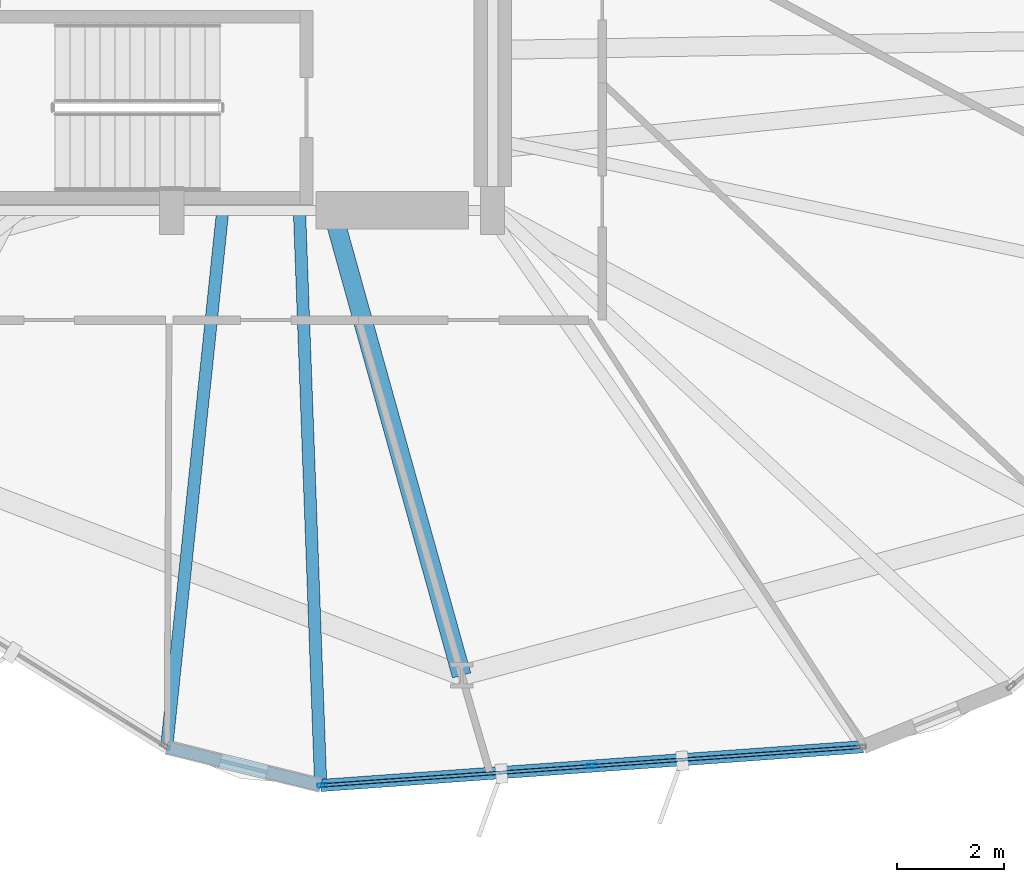
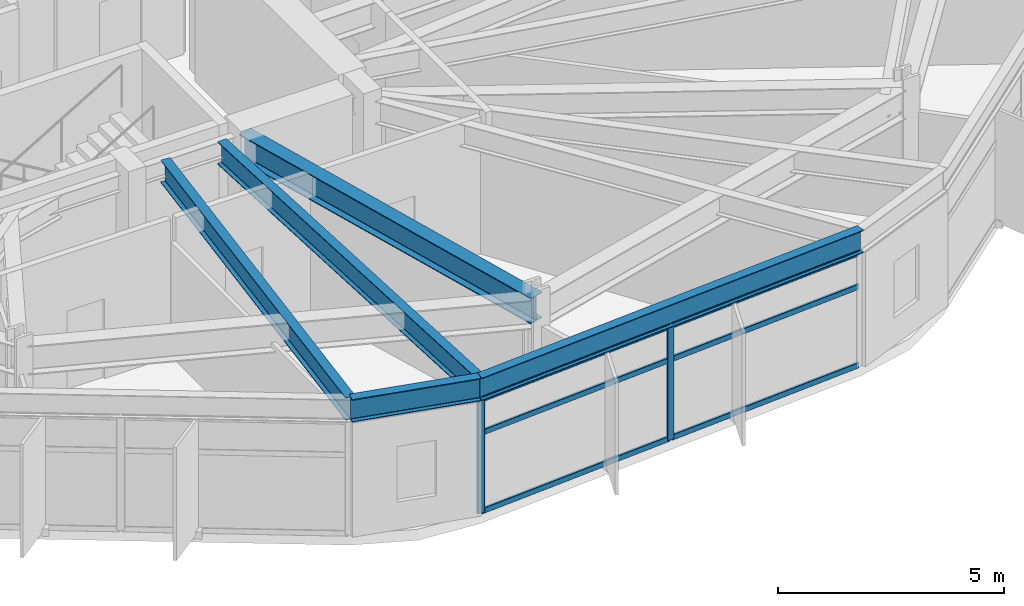
# One storey, part 4 of 22: 8 members, 5 beams, 1 element without a shape of its own.
"""IFC4 building model written with IfcOpenShell, lengths in metres."""

from ifc_helpers import new_model, si_unit, direction, frame, origin, origin_2d, place, context, subcontext, project, spatial, hollow_rectangle, i_section, extrude, material, layer, layer_set, material_profile, profile_set, type_object, element, aggregate, save


model = new_model("IFC4")

# Units and contexts
model_context = context("Model", 3, precision=1e-05, world=origin(), true_north=direction((0.0, 1.0)))
body_context = subcontext(model_context, "Body", "Model", "MODEL_VIEW")
ifc_project = project(units=[si_unit("LENGTHUNIT", "METRE"), si_unit("AREAUNIT", "SQUARE_METRE"), si_unit("VOLUMEUNIT", "CUBIC_METRE"), si_unit("PLANEANGLEUNIT", "RADIAN"), si_unit("MASSUNIT", "GRAM", prefix="KILO")], contexts=[model_context])

# Site, building, storey
site_placement = place(None, origin())
site = spatial("IfcSite", under=ifc_project, at=site_placement, CompositionType="ELEMENT")
building_placement = place(site_placement, origin())
building = spatial("IfcBuilding", under=site, at=building_placement, Name="Soratama Intermodal Tower", CompositionType="ELEMENT")
storey_placement = place(building_placement, frame((0.0, 0.0, 42.60009765625)))
storey = spatial("IfcBuildingStorey", under=building, at=storey_placement, Name="L09", CompositionType="ELEMENT", Elevation=42.60009765625)

# Beams
ifc_material_1 = material(Name="Structural steel ASTM A992 Grade 50", Category="steel")
ifc_material_profile_1 = material_profile(ifc_material_1, i_section(OverallWidth=0.35498046875, OverallDepth=0.695068359375, WebThickness=0.015380859375, FlangeThickness=0.02490234375, FilletRadius=0.01611328125, at=origin_2d()), Name="W27X146")
ifc_profile_set_1 = profile_set([ifc_material_profile_1], Name="Structural steel ASTM A992 Grade 50")
beam_type_1 = type_object("IfcBeamType", Name="BM-RING-W27X146", PredefinedType="BEAM", material=ifc_profile_set_1)
beam_1_placement = place(storey_placement, frame((41.60009765625, 15.0, 3.352294921875), z_axis=(0.26814752121, -0.963377862974, 0.0), x_axis=(0.963377862974, 0.26814752121, 0.0)))
element("IfcBeam", 1, at=beam_1_placement, inside=storey, type_object=beam_type_1, Name="BM-L09-RAD-08", PredefinedType="BEAM", context=body_context, shape_type="SweptSolid", body=[
    extrude(i_section(OverallWidth=0.35498046875, OverallDepth=0.695068359375, WebThickness=0.015380859375, FlangeThickness=0.02490234375, FilletRadius=0.01611328125, at=origin_2d()), origin(), (0.0, 0.0, 1.0), 9.024658203125),
])
ifc_material_2 = material(Name="Structural steel ASTM A992 Grade 50", Category="steel")
ifc_material_profile_2 = material_profile(ifc_material_2, i_section(OverallWidth=0.22900390625, OverallDepth=0.612060546875, WebThickness=0.011962890625, FlangeThickness=0.01953125, FilletRadius=0.012939453125, at=origin_2d()), Name="W24X84")
ifc_profile_set_2 = profile_set([ifc_material_profile_2], Name="Structural steel ASTM A992 Grade 50")
beam_type_2 = type_object("IfcBeamType", Name="BM-SPN-W24X84", PredefinedType="SPANDREL", material=ifc_profile_set_2)
beam_2_placement = place(storey_placement, frame((38.5048828125, 4.9609375, 3.393798828125), z_axis=(0.970629355701, -0.240579828437, 0.0), x_axis=(0.240579828437, 0.970629355701, 0.0)))
element("IfcBeam", 2, at=beam_2_placement, inside=storey, type_object=beam_type_2, Name="BS-L09-CRN07", PredefinedType="SPANDREL", context=body_context, shape_type="SweptSolid", body=[
    extrude(i_section(OverallWidth=0.22900390625, OverallDepth=0.612060546875, WebThickness=0.011962890625, FlangeThickness=0.01953125, FilletRadius=0.012939453125, at=origin_2d()), origin(), (0.0, 0.0, 1.0), 2.96728515625),
])
beam_3_placement = place(storey_placement, frame((41.385009765625, 4.2470703125, 3.393798828125), z_axis=(0.997461015801, 0.071214618986, 0.0), x_axis=(-0.071214618986, 0.997461015801, 0.0)))
element("IfcBeam", 3, at=beam_3_placement, inside=storey, type_object=beam_type_2, Name="BS-L09-F08", PredefinedType="SPANDREL", context=body_context, shape_type="SweptSolid", body=[
    extrude(i_section(OverallWidth=0.22900390625, OverallDepth=0.612060546875, WebThickness=0.011962890625, FlangeThickness=0.01953125, FilletRadius=0.012939453125, at=origin_2d()), origin(), (0.0, 0.0, 1.0), 10.164794921875),
])
ifc_material_3 = material(Name="Structural steel ASTM A992 Grade 50", Category="steel")
ifc_material_profile_3 = material_profile(ifc_material_3, i_section(OverallWidth=0.22900390625, OverallDepth=0.612060546875, WebThickness=0.011962890625, FlangeThickness=0.01953125, FilletRadius=0.012939453125, at=origin_2d()), Name="W24X84")
ifc_profile_set_3 = profile_set([ifc_material_profile_3], Name="Structural steel ASTM A992 Grade 50")
beam_type_3 = type_object("IfcBeamType", Name="BM-TIE-W24X84", PredefinedType="BEAM", material=ifc_profile_set_3)
beam_4_placement = place(storey_placement, frame((39.549072265625, 14.9599609375, 3.393798828125), z_axis=(-0.103864335713, -0.994591473806, 0.0), x_axis=(0.994591473806, -0.103864335713, 0.0)))
element("IfcBeam", 4, at=beam_4_placement, inside=storey, type_object=beam_type_3, Name="BM-L09-TIE1-07", PredefinedType="BEAM", context=body_context, shape_type="SweptSolid", body=[
    extrude(i_section(OverallWidth=0.22900390625, OverallDepth=0.612060546875, WebThickness=0.011962890625, FlangeThickness=0.01953125, FilletRadius=0.012939453125, at=origin_2d()), origin(), (0.0, 0.0, 1.0), 10.053466796875),
])
beam_5_placement = place(storey_placement, frame((40.989013671875, 14.9599609375, 3.393798828125), z_axis=(0.036939220781, -0.999317514091, 0.0), x_axis=(0.999317514091, 0.036939220781, 0.0)))
element("IfcBeam", 5, at=beam_5_placement, inside=storey, type_object=beam_type_3, Name="BM-L09-TIE0-08", PredefinedType="BEAM", context=body_context, shape_type="SweptSolid", body=[
    extrude(i_section(OverallWidth=0.22900390625, OverallDepth=0.612060546875, WebThickness=0.011962890625, FlangeThickness=0.01953125, FilletRadius=0.012939453125, at=origin_2d()), origin(), (0.0, 0.0, 1.0), 10.72021484375),
])

# Curtain wall, members
ifc_material_4 = material(Name="Double-glazed aluminium curtain wall", Category="aluminium")
ifc_layer = layer(ifc_material_4, 0.159912109375)
ifc_layer_set = layer_set([ifc_layer], Name="Double-glazed aluminium curtain wall")
curtain_wall_type = type_object("IfcCurtainWallType", Name="CW-SYS-2", PredefinedType="NOTDEFINED", material=ifc_layer_set)
curtain_wall_placement = place(storey_placement, origin())
curtain_wall = element("IfcCurtainWall", 6, at=curtain_wall_placement, inside=storey, type_object=curtain_wall_type, Name="L09 Faceted Curtain Wall F08", PredefinedType="NOTDEFINED")
ifc_material_5 = material(Name="Anodised aluminium AA 6063-T6", Category="aluminium")
ifc_material_profile_4 = material_profile(ifc_material_5, hollow_rectangle(XDim=0.074951171875, YDim=0.179931640625, WallThickness=0.006103515625, InnerFilletRadius=0.006103515625, OuterFilletRadius=0.011962890625, at=origin_2d()), Name="CWM180X75X6")
ifc_profile_set_4 = profile_set([ifc_material_profile_4], Name="Anodised aluminium AA 6063-T6")
member_type_1 = type_object("IfcMemberType", Name="MT-CWM-2", PredefinedType="MULLION", material=ifc_profile_set_4)
member_1_placement = place(storey_placement, frame((41.41455078125, 4.249755859375, 0.0), z_axis=(0.0, 0.0, 1.0), x_axis=(-0.071154068573, 0.997465337004, 0.0)))
member_1 = element("IfcMember", 7, at=member_1_placement, type_object=member_type_1, Name="CW-2 mullion 1", PredefinedType="MULLION", context=body_context, shape_type="SweptSolid", body=[
    extrude(hollow_rectangle(XDim=0.074951171875, YDim=0.179931640625, WallThickness=0.006103515625, InnerFilletRadius=0.006103515625, OuterFilletRadius=0.011962890625, at=origin_2d()), origin(), (0.0, 0.0, 1.0), 3.078857421875),
])
member_2_placement = place(storey_placement, frame((46.454345703125, 4.609130859375, 0.0), z_axis=(0.0, 0.0, 1.0), x_axis=(-0.071154068573, 0.997465337004, 0.0)))
member_2 = element("IfcMember", 8, at=member_2_placement, type_object=member_type_1, Name="CW-2 mullion 2", PredefinedType="MULLION", context=body_context, shape_type="SweptSolid", body=[
    extrude(hollow_rectangle(XDim=0.074951171875, YDim=0.179931640625, WallThickness=0.006103515625, InnerFilletRadius=0.006103515625, OuterFilletRadius=0.011962890625, at=origin_2d()), origin(), (0.0, 0.0, 1.0), 3.078857421875),
])
ifc_material_6 = material(Name="Anodised aluminium AA 6063-T6", Category="aluminium")
ifc_material_profile_5 = material_profile(ifc_material_6, hollow_rectangle(XDim=0.06494140625, YDim=0.14990234375, WallThickness=0.0048828125, InnerFilletRadius=0.0048828125, OuterFilletRadius=0.010009765625, at=origin_2d()), Name="CWT150X65X5")
ifc_profile_set_5 = profile_set([ifc_material_profile_5], Name="Anodised aluminium AA 6063-T6")
member_type_2 = type_object("IfcMemberType", Name="TT-CWT-1", PredefinedType="USERDEFINED", material=ifc_profile_set_5)
member_3_placement = place(storey_placement, frame((41.444580078125, 4.251708984375, 0.02978515625), z_axis=(0.997465645362, 0.07114974576, 0.0), x_axis=(-0.07114974576, 0.997465645362, 0.0)))
member_3 = element("IfcMember", 9, at=member_3_placement, type_object=member_type_2, Name="CW-2 transom 1.1", ObjectType="TRANSOM", PredefinedType="USERDEFINED", context=body_context, shape_type="SweptSolid", body=[
    extrude(hollow_rectangle(XDim=0.06494140625, YDim=0.14990234375, WallThickness=0.0048828125, InnerFilletRadius=0.0048828125, OuterFilletRadius=0.010009765625, at=origin_2d()), origin(), (0.0, 0.0, 1.0), 4.99267578125),
])
member_4_placement = place(storey_placement, frame((41.444580078125, 4.251708984375, 2.14990234375), z_axis=(0.997465645362, 0.07114974576, 0.0), x_axis=(-0.07114974576, 0.997465645362, 0.0)))
member_4 = element("IfcMember", 10, at=member_4_placement, type_object=member_type_2, Name="CW-2 transom 1.2", ObjectType="TRANSOM", PredefinedType="USERDEFINED", context=body_context, shape_type="SweptSolid", body=[
    extrude(hollow_rectangle(XDim=0.06494140625, YDim=0.14990234375, WallThickness=0.0048828125, InnerFilletRadius=0.0048828125, OuterFilletRadius=0.010009765625, at=origin_2d()), origin(), (0.0, 0.0, 1.0), 4.99267578125),
])
member_5_placement = place(storey_placement, frame((41.444580078125, 4.251708984375, 3.048828125), z_axis=(0.997465645362, 0.07114974576, 0.0), x_axis=(-0.07114974576, 0.997465645362, 0.0)))
member_5 = element("IfcMember", 11, at=member_5_placement, type_object=member_type_2, Name="CW-2 transom 1.3", ObjectType="TRANSOM", PredefinedType="USERDEFINED", context=body_context, shape_type="SweptSolid", body=[
    extrude(hollow_rectangle(XDim=0.06494140625, YDim=0.14990234375, WallThickness=0.0048828125, InnerFilletRadius=0.0048828125, OuterFilletRadius=0.010009765625, at=origin_2d()), origin(), (0.0, 0.0, 1.0), 4.99267578125),
])
member_6_placement = place(storey_placement, frame((46.484375, 4.611328125, 0.02978515625), z_axis=(0.997465645362, 0.07114974576, 0.0), x_axis=(-0.07114974576, 0.997465645362, 0.0)))
member_6 = element("IfcMember", 12, at=member_6_placement, type_object=member_type_2, Name="CW-2 transom 2.1", ObjectType="TRANSOM", PredefinedType="USERDEFINED", context=body_context, shape_type="SweptSolid", body=[
    extrude(hollow_rectangle(XDim=0.06494140625, YDim=0.14990234375, WallThickness=0.0048828125, InnerFilletRadius=0.0048828125, OuterFilletRadius=0.010009765625, at=origin_2d()), origin(), (0.0, 0.0, 1.0), 4.99267578125),
])
member_7_placement = place(storey_placement, frame((46.484375, 4.611328125, 2.14990234375), z_axis=(0.997465645362, 0.07114974576, 0.0), x_axis=(-0.07114974576, 0.997465645362, 0.0)))
member_7 = element("IfcMember", 13, at=member_7_placement, type_object=member_type_2, Name="CW-2 transom 2.2", ObjectType="TRANSOM", PredefinedType="USERDEFINED", context=body_context, shape_type="SweptSolid", body=[
    extrude(hollow_rectangle(XDim=0.06494140625, YDim=0.14990234375, WallThickness=0.0048828125, InnerFilletRadius=0.0048828125, OuterFilletRadius=0.010009765625, at=origin_2d()), origin(), (0.0, 0.0, 1.0), 4.99267578125),
])
member_8_placement = place(storey_placement, frame((46.484375, 4.611328125, 3.048828125), z_axis=(0.997465645362, 0.07114974576, 0.0), x_axis=(-0.07114974576, 0.997465645362, 0.0)))
member_8 = element("IfcMember", 14, at=member_8_placement, type_object=member_type_2, Name="CW-2 transom 2.3", ObjectType="TRANSOM", PredefinedType="USERDEFINED", context=body_context, shape_type="SweptSolid", body=[
    extrude(hollow_rectangle(XDim=0.06494140625, YDim=0.14990234375, WallThickness=0.0048828125, InnerFilletRadius=0.0048828125, OuterFilletRadius=0.010009765625, at=origin_2d()), origin(), (0.0, 0.0, 1.0), 4.99267578125),
])
aggregate(curtain_wall, [member_1, member_2, member_3, member_4, member_5, member_6, member_7, member_8])

save(model, "model.ifc")
